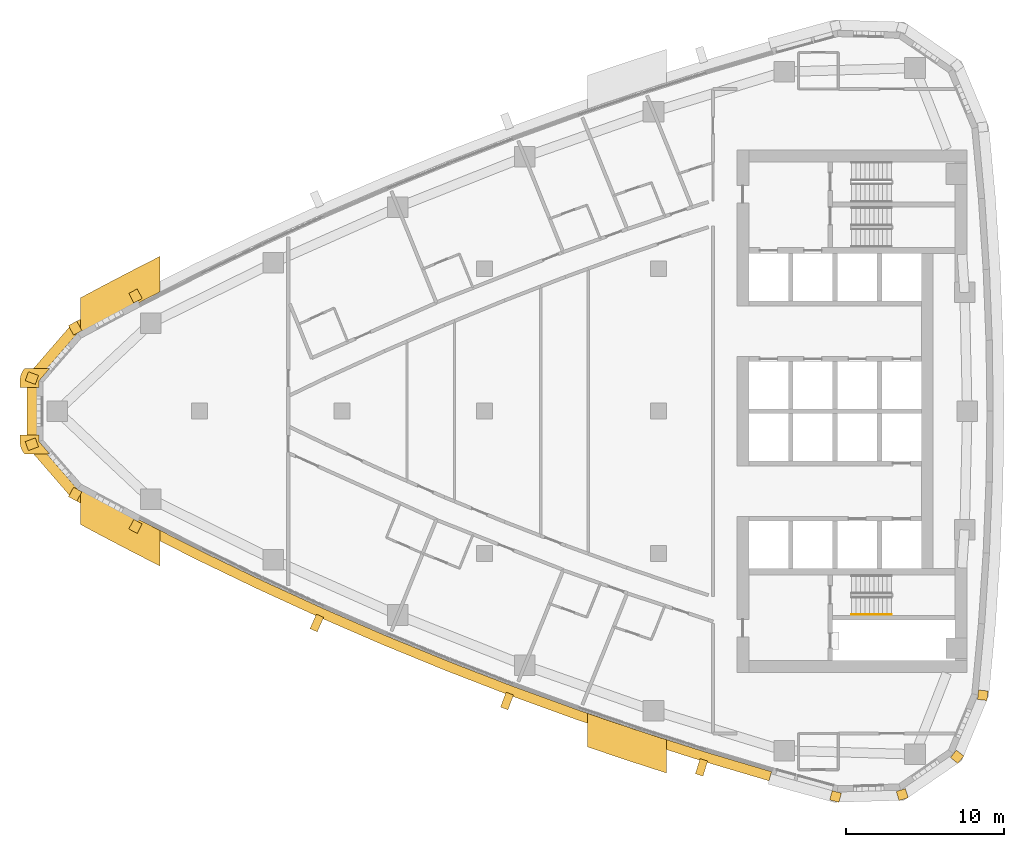
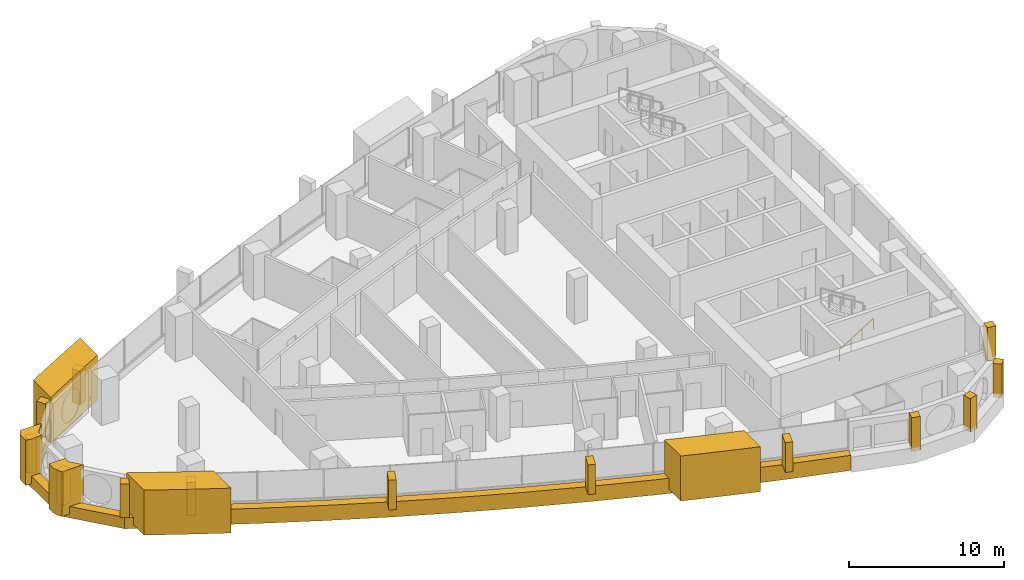
# One storey, part 14 of 17: 20 coverings, 1 railing.
"""IFC4 building model written with IfcOpenShell, lengths in metres."""

from ifc_helpers import new_model, si_unit, direction, frame, frame_2d, origin, origin_2d, place, context, subcontext, project, spatial, polyline, rectangle, circle, outline, extrude, material, layer, layer_set, type_object, element, save


model = new_model("IFC4")

# Units and contexts
model_context = context("Model", 3, precision=1e-05, world=origin(), true_north=direction((0.0, 1.0)))
body_context = subcontext(model_context, "Body", "Model", "MODEL_VIEW")
ifc_project = project(units=[si_unit("LENGTHUNIT", "METRE"), si_unit("AREAUNIT", "SQUARE_METRE"), si_unit("VOLUMEUNIT", "CUBIC_METRE"), si_unit("PLANEANGLEUNIT", "RADIAN"), si_unit("MASSUNIT", "GRAM", prefix="KILO")], contexts=[model_context])

# Site, building, storey
site_placement = place(None, origin())
site = spatial("IfcSite", under=ifc_project, at=site_placement, CompositionType="ELEMENT")
building_placement = place(site_placement, origin())
building = spatial("IfcBuilding", under=site, at=building_placement, Name="Ostrand Prow Hotel Tower", CompositionType="ELEMENT")
storey_placement = place(building_placement, frame((0.0, 0.0, 175.5)))
storey = spatial("IfcBuildingStorey", under=building, at=storey_placement, Name="L43", CompositionType="ELEMENT", Elevation=175.5)

# Coverings
ifc_material_1 = material(Name="Bronze anodised aluminium cladding", Category="aluminium")
ifc_layer_1 = layer(ifc_material_1, 0.60009765625)
ifc_layer_set_1 = layer_set([ifc_layer_1], Name="Bronze anodised aluminium cladding")
covering_type_1 = type_object("IfcCoveringType", Name="Bronze prow band 899x600", PredefinedType="CLADDING", material=ifc_layer_set_1)
covering_1_placement = place(storey_placement, frame((0.0, 0.0, -0.300048828125)))
element("IfcCovering", 1, at=covering_1_placement, inside=storey, type_object=covering_type_1, Name="Bronze prow band", PredefinedType="CLADDING", context=body_context, shape_type="SweptSolid", body=[
    extrude(outline(polyline([(11.8037109375, 7.58154296875), (7.9873046875, 5.546630859375), (5.09521484375, 2.20849609375), (5.09521484375, -2.20849609375), (7.9873046875, -5.546630859375), (11.8037109375, -7.58154296875), (12.117431640625, -6.978515625), (8.3134765625, -4.949951171875), (5.732421875, -1.970703125), (5.732421875, 1.970703125), (8.3134765625, 4.949951171875), (12.117431640625, 6.978515625), (11.8037109375, 7.58154296875)])), origin(), (0.0, 0.0, 1.0), 0.900146484375),
])
ifc_material_2 = material(Name="Bronze anodised aluminium cladding", Category="aluminium")
ifc_layer_2 = layer(ifc_material_2, 0.60009765625)
ifc_layer_set_2 = layer_set([ifc_layer_2], Name="Bronze anodised aluminium cladding")
covering_type_2 = type_object("IfcCoveringType", Name="Bronze spandrel band 1200x600", PredefinedType="CLADDING", material=ifc_layer_set_2)
covering_2_placement = place(storey_placement, frame((0.0, 0.0, -0.300048828125)))
element("IfcCovering", 2, at=covering_2_placement, inside=storey, type_object=covering_type_2, Name="Spandrel band S1", PredefinedType="CLADDING", context=body_context, shape_type="SweptSolid", body=[
    extrude(outline(polyline([(11.9052734375, -7.38623046875), (15.757568359375, -9.341796875), (19.648681640625, -11.219482421875), (23.57666015625, -13.0185546875), (27.5400390625, -14.738037109375), (31.537353515625, -16.37744140625), (35.566650390625, -17.93603515625), (39.626708984375, -19.4130859375), (43.7158203125, -20.80810546875), (47.831787109375, -22.12060546875), (51.9736328125, -23.35009765625), (52.138427734375, -22.773193359375), (48.00830078125, -21.547119140625), (43.90380859375, -20.23828125), (39.826171875, -18.84716796875), (35.777587890625, -17.374267578125), (31.759521484375, -15.820068359375), (27.773193359375, -14.185302734375), (23.821044921875, -12.470458984375), (19.90380859375, -10.676513671875), (16.023681640625, -8.80419921875), (12.18212890625, -6.85400390625), (11.9052734375, -7.38623046875)])), origin(), (0.0, 0.0, 1.0), 1.199951171875),
])
ifc_material_3 = material(Name="Limestone cladding", Category="masonry")
ifc_layer_3 = layer(ifc_material_3, 5.0)
ifc_layer_set_3 = layer_set([ifc_layer_3], Name="Limestone cladding")
covering_type_3 = type_object("IfcCoveringType", Name="Portal jamb pilaster limestone", PredefinedType="CLADDING", material=ifc_layer_set_3)
covering_3_placement = place(storey_placement, origin())
element("IfcCovering", 3, at=covering_3_placement, inside=storey, type_object=covering_type_3, Name="Portal jamb SA L43", PredefinedType="CLADDING", context=body_context, shape_type="SweptSolid", body=[
    extrude(outline(polyline([(8.5, -4.89208984375), (8.5, -7.1669921875), (9.5, -7.702392578125), (10.5, -8.231201171875), (11.5, -8.75341796875), (12.5, -9.268798828125), (13.5, -9.777587890625), (13.5, -7.533935546875), (12.5, -7.01904296875), (11.5, -6.497314453125), (10.5, -5.968994140625), (9.5, -5.43408203125), (8.5, -4.89208984375)])), origin(), (0.0, 0.0, 1.0), 3.550048828125),
])
covering_4_placement = place(storey_placement, origin())
element("IfcCovering", 4, at=covering_4_placement, inside=storey, type_object=covering_type_3, Name="Portal jamb SB L43", PredefinedType="CLADDING", context=body_context, shape_type="SweptSolid", body=[
    extrude(outline(polyline([(40.5, -19.08349609375), (40.5, -21.200439453125), (41.5, -21.542724609375), (42.5, -21.879638671875), (43.5, -22.211181640625), (44.5, -22.537109375), (45.5, -22.85791015625), (45.5, -20.75830078125), (44.5, -20.43408203125), (43.5, -20.104736328125), (42.5, -19.769775390625), (41.5, -19.429443359375), (40.5, -19.08349609375)])), origin(), (0.0, 0.0, 1.0), 3.550048828125),
])
covering_5_placement = place(storey_placement, origin())
element("IfcCovering", 5, at=covering_5_placement, inside=storey, type_object=covering_type_3, Name="Portal jamb NA L43", PredefinedType="CLADDING", context=body_context, shape_type="SweptSolid", body=[
    extrude(outline(polyline([(8.5, 4.89208984375), (9.5, 5.43408203125), (10.5, 5.968994140625), (11.5, 6.497314453125), (12.5, 7.01904296875), (13.5, 7.533935546875), (13.5, 9.777587890625), (12.5, 9.268798828125), (11.5, 8.75341796875), (10.5, 8.231201171875), (9.5, 7.702392578125), (8.5, 7.1669921875), (8.5, 4.89208984375)])), origin(), (0.0, 0.0, 1.0), 3.550048828125),
])
ifc_material_4 = material(Name="Limestone cladding", Category="masonry")
ifc_layer_4 = layer(ifc_material_4, 0.5)
ifc_layer_set_4 = layer_set([ifc_layer_4], Name="Limestone cladding")
covering_type_4 = type_object("IfcCoveringType", Name="Precast stone fin 500x900", PredefinedType="CLADDING", material=ifc_layer_set_4)
for number, where, z_axis, x_axis, name in (
    (6, (23.6171875, -12.92724609375, 0.89990234375), (0.0, 0.0, 1.0), (-0.407021798392, -0.913418444982, 0.0), "Stone fin S 4"),
    (7, (35.601806640625, -17.84228515625, 0.89990234375), (0.0, 0.0, 1.0), (-0.351310716449, -0.936258928133, 0.0), "Stone fin S 7"),
):
    element("IfcCovering", number, at=place(storey_placement, frame(where, z_axis=z_axis, x_axis=x_axis)), inside=storey, type_object=covering_type_4, Name=name, PredefinedType="CLADDING", context=body_context, shape_type="SweptSolid", body=[
        extrude(rectangle(XDim=1.0, YDim=0.5, at=frame_2d((0.5, 0.0))), origin(), (0.0, 0.0, 1.0), 2.35009765625),
    ])
covering_6_placement = place(storey_placement, frame((47.861083984375, -22.025146484375, 0.89990234375), z_axis=(0.0, 0.0, 1.0), x_axis=(-0.294017207984, -0.955800126287, 0.0)))
element("IfcCovering", 8, at=covering_6_placement, inside=storey, type_object=covering_type_4, Name="Stone fin S 10", PredefinedType="CLADDING", context=body_context, shape_type="SweptSolid", body=[
    extrude(rectangle(XDim=0.999755859375, YDim=0.5, at=frame_2d((0.5, 0.0))), origin(), (0.0, 0.0, 1.0), 2.35009765625),
])
ifc_material_5 = material(Name="Limestone cladding", Category="masonry")
ifc_layer_5 = layer(ifc_material_5, 0.60009765625)
ifc_layer_set_5 = layer_set([ifc_layer_5], Name="Limestone cladding")
covering_type_5 = type_object("IfcCoveringType", Name="Precast stone prow rib 600x600", PredefinedType="CLADDING", material=ifc_layer_set_5)
covering_7_placement = place(storey_placement, frame((12.117431640625, 6.978515625, 0.60009765625), z_axis=(0.0, 0.0, 1.0), x_axis=(-0.461522357319, 0.887128577882, 0.0)))
element("IfcCovering", 9, at=covering_7_placement, inside=storey, type_object=covering_type_5, Name="Stone prow rib 1", PredefinedType="CLADDING", context=body_context, shape_type="SweptSolid", body=[
    extrude(rectangle(XDim=0.6796875, YDim=0.60009765625, at=frame_2d((0.33984375, 0.0))), origin(), (0.0, 0.0, 1.0), 2.64990234375),
])
covering_8_placement = place(storey_placement, frame((8.3134765625, 4.949951171875, 0.60009765625), z_axis=(0.0, 0.0, 1.0), x_axis=(-0.479656876283, 0.877456141943, 0.0)))
element("IfcCovering", 10, at=covering_8_placement, inside=storey, type_object=covering_type_5, Name="Stone prow rib 2", PredefinedType="CLADDING", context=body_context, shape_type="SweptSolid", body=[
    extrude(rectangle(XDim=0.679931640625, YDim=0.60009765625, at=frame_2d((0.33984375, 0.0))), origin(), (0.0, 0.0, 1.0), 2.64990234375),
])
for number, where, z_axis, x_axis, name in (
    (11, (5.732421875, 1.970703125, 0.60009765625), (0.0, 0.0, 1.0), (-0.93688855374, 0.349628142277, 0.0), "Stone prow rib 3"),
    (12, (5.732421875, -1.970703125, 0.60009765625), (0.0, 0.0, 1.0), (-0.93688855374, -0.349628142277, 0.0), "Stone prow rib 4"),
):
    element("IfcCovering", number, at=place(storey_placement, frame(where, z_axis=z_axis, x_axis=x_axis)), inside=storey, type_object=covering_type_5, Name=name, PredefinedType="CLADDING", context=body_context, shape_type="SweptSolid", body=[
        extrude(rectangle(XDim=0.68017578125, YDim=0.60009765625, at=frame_2d((0.340087890625, 0.0))), origin(), (0.0, 0.0, 1.0), 2.64990234375),
    ])
covering_9_placement = place(storey_placement, frame((8.3134765625, -4.949951171875, 0.60009765625), z_axis=(0.0, 0.0, 1.0), x_axis=(-0.479656876283, -0.877456141943, 0.0)))
element("IfcCovering", 13, at=covering_9_placement, inside=storey, type_object=covering_type_5, Name="Stone prow rib 5", PredefinedType="CLADDING", context=body_context, shape_type="SweptSolid", body=[
    extrude(rectangle(XDim=0.679931640625, YDim=0.60009765625, at=frame_2d((0.33984375, 0.0))), origin(), (0.0, 0.0, 1.0), 2.64990234375),
])
covering_10_placement = place(storey_placement, frame((12.117431640625, -6.978515625, 0.60009765625), z_axis=(0.0, 0.0, 1.0), x_axis=(-0.461522357319, -0.887128577882, 0.0)))
element("IfcCovering", 14, at=covering_10_placement, inside=storey, type_object=covering_type_5, Name="Stone prow rib 6", PredefinedType="CLADDING", context=body_context, shape_type="SweptSolid", body=[
    extrude(rectangle(XDim=0.6796875, YDim=0.60009765625, at=frame_2d((0.33984375, 0.0))), origin(), (0.0, 0.0, 1.0), 2.64990234375),
])
for number, where, z_axis, x_axis, name in (
    (15, (56.256591796875, -24.05126953125, 0.60009765625), (0.0, 0.0, 1.0), (-0.255154261231, -0.966900358349, 0.0), "Stone corner rib 2a"),
    (16, (60.297607421875, -23.935302734375, 0.60009765625), (0.0, 0.0, 1.0), (0.310484329644, -0.950578498098, 0.0), "Stone corner rib 3a"),
    (17, (63.6279296875, -21.643798828125, 0.60009765625), (0.0, 0.0, 1.0), (0.776922530767, -0.62959620487, 0.0), "Stone corner rib 4a"),
    (18, (65.18017578125, -17.9111328125, 0.60009765625), (0.0, 0.0, 1.0), (0.994255138911, -0.107036062846, 0.0), "Stone corner rib 4b"),
):
    element("IfcCovering", number, at=place(storey_placement, frame(where, z_axis=z_axis, x_axis=x_axis)), inside=storey, type_object=covering_type_5, Name=name, PredefinedType="CLADDING", context=body_context, shape_type="SweptSolid", body=[
        extrude(rectangle(XDim=0.599853515625, YDim=0.60009765625, at=frame_2d((0.2998046875, 0.0))), origin(), (0.0, 0.0, 1.0), 2.64990234375),
    ])
ifc_material_6 = material(Name="Limestone cladding", Category="masonry")
ifc_layer_6 = layer(ifc_material_6, 3.0)
ifc_layer_set_6 = layer_set([ifc_layer_6], Name="Limestone cladding")
covering_type_6 = type_object("IfcCoveringType", Name="Prow nose pier limestone", PredefinedType="CLADDING", material=ifc_layer_set_6)
covering_11_placement = place(storey_placement, origin())
element("IfcCovering", 19, at=covering_11_placement, inside=storey, type_object=covering_type_6, Name="Prow spine fin N L43", PredefinedType="CLADDING", context=body_context, shape_type="SweptSolid", body=[
    extrude(outline(polyline([(4.663818359375, 1.921875), (4.663818359375, 1.5), (5.864013671875, 1.5), (5.864013671875, 1.921875), (6.5380859375, 2.699951171875), (4.950927734375, 2.699951171875), (4.881591796875, 2.611083984375), (4.816650390625, 2.507568359375), (4.762451171875, 2.39794921875), (4.719482421875, 2.283203125), (4.688720703125, 2.164794921875), (4.670166015625, 2.0439453125), (4.663818359375, 1.921875)])), origin(), (0.0, 0.0, 1.0), 3.550048828125),
])
covering_12_placement = place(storey_placement, origin())
element("IfcCovering", 20, at=covering_12_placement, inside=storey, type_object=covering_type_6, Name="Prow spine fin S L43", PredefinedType="CLADDING", context=body_context, shape_type="SweptSolid", body=[
    extrude(outline(polyline([(4.881591796875, -2.611083984375), (4.950927734375, -2.699951171875), (6.5380859375, -2.699951171875), (5.864013671875, -1.921875), (5.864013671875, -1.5), (4.663818359375, -1.5), (4.663818359375, -1.921875), (4.670166015625, -2.0439453125), (4.688720703125, -2.164794921875), (4.719482421875, -2.283203125), (4.762451171875, -2.39794921875), (4.816650390625, -2.507568359375), (4.881591796875, -2.611083984375)])), origin(), (0.0, 0.0, 1.0), 3.550048828125),
])

# Railing
ifc_material_7 = material(Name="Stainless steel", Category="steel")
railing_type = type_object("IfcRailingType", Name="Stair handrail 900", PredefinedType="HANDRAIL", material=ifc_material_7)
railing_placement = place(storey_placement, frame((57.199951171875, -12.85009765625, 0.177490234375)))
element("IfcRailing", 21, at=railing_placement, inside=storey, type_object=railing_type, Name="L43 ST2C stair handrail 1", PredefinedType="HANDRAIL", context=body_context, shape_type="SweptSolid", body=[
    extrude(circle(Radius=0.02392578125, at=origin_2d()), frame((0.0, 0.0, 0.8759765625), z_axis=(0.84460694969, 0.0, 0.535386869969), x_axis=(0.0, 1.0, 0.0)), (0.0, 0.0, 1.0), 2.983642578125),
    extrude(circle(Radius=0.02099609375, at=origin_2d()), origin(), (0.0, 0.0, 1.0), 0.851806640625),
    extrude(circle(Radius=0.02099609375, at=origin_2d()), frame((0.840087890625, 0.0, 0.532470703125)), (0.0, 0.0, 1.0), 0.851806640625),
    extrude(circle(Radius=0.02099609375, at=origin_2d()), frame((1.679931640625, 0.0, 1.06494140625)), (0.0, 0.0, 1.0), 0.851806640625),
    extrude(circle(Radius=0.02099609375, at=origin_2d()), frame((2.52001953125, 0.0, 1.597412109375)), (0.0, 0.0, 1.0), 0.851806640625),
])

save(model, "model.ifc")
